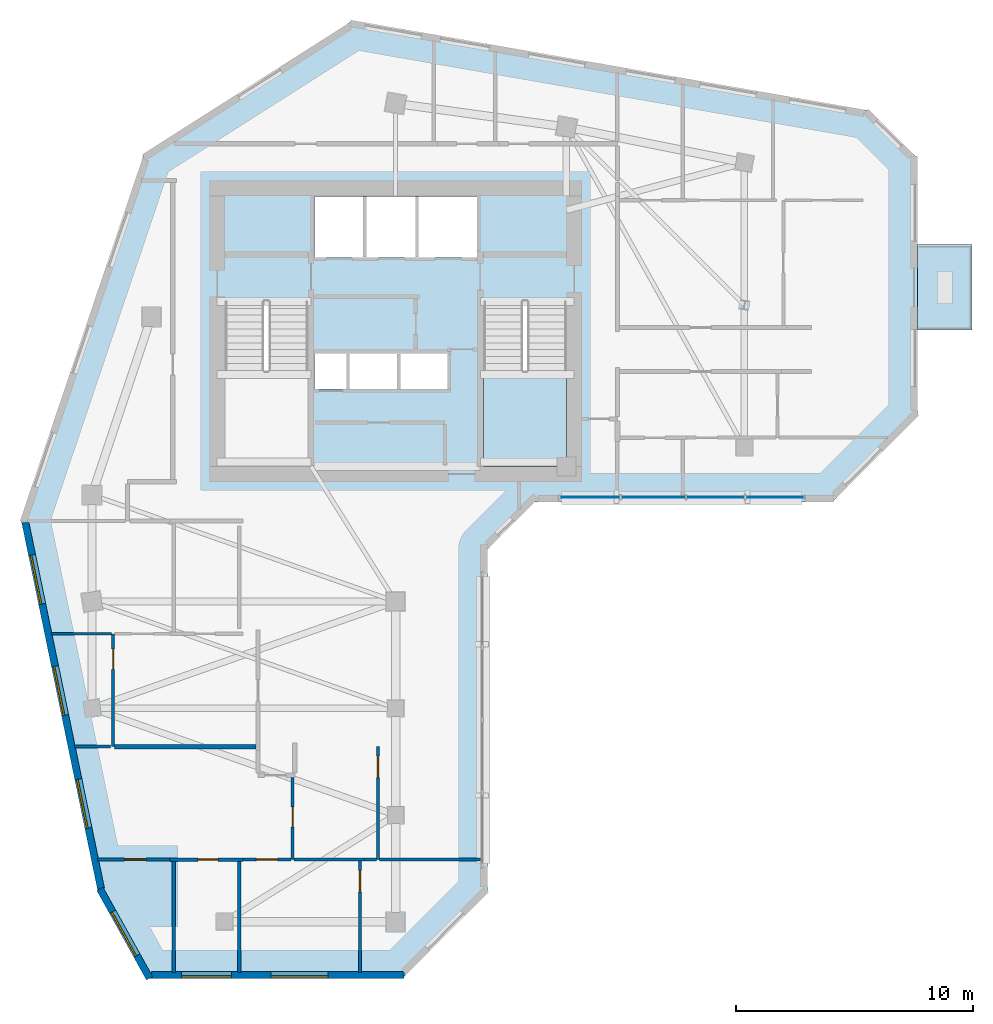
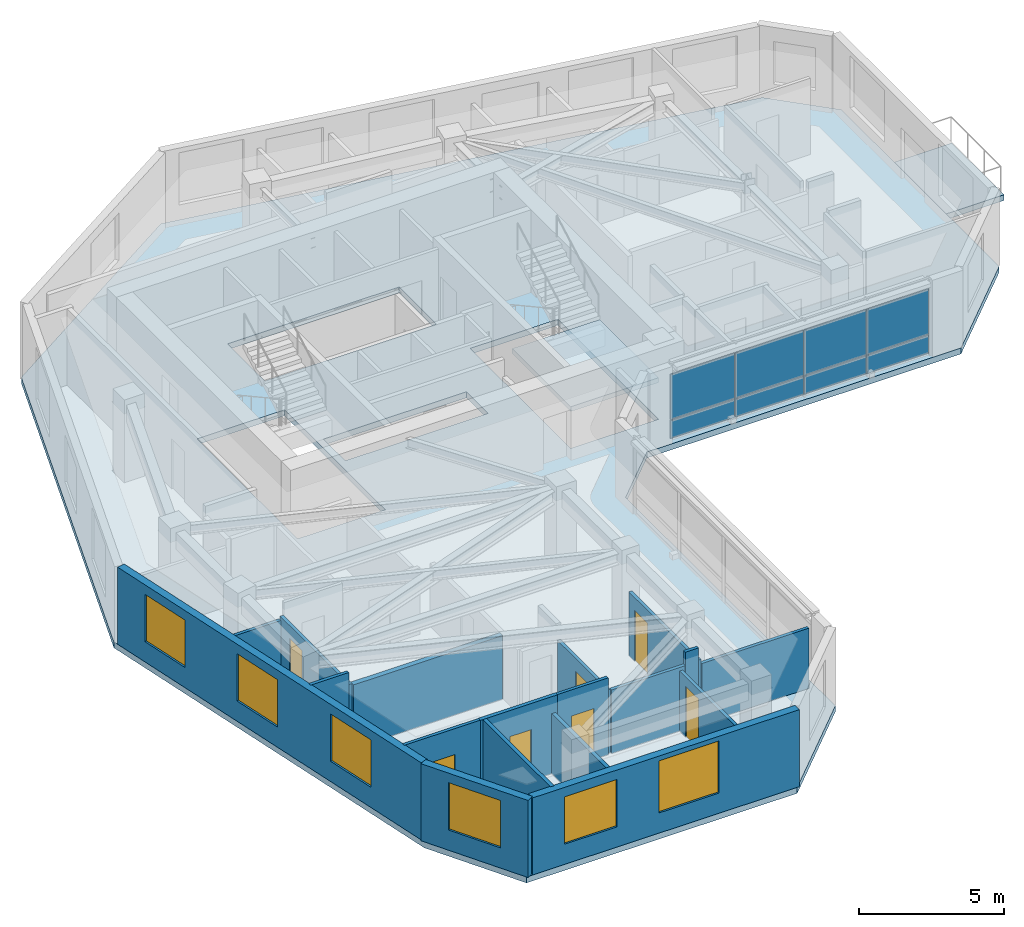
# One storey, part 3 of 10: 18 walls, 8 plates, 7 doors, 6 windows, 3 slabs, 13 openings, 2 elements without a shape of their own.
"""IFC4 building model written with IfcOpenShell, lengths in metres."""

from ifc_helpers import new_model, si_unit, direction, frame, frame_2d, origin, place, context, subcontext, project, spatial, polyline, rectangle, outline, extrude, source, transform, mapped, material, layer, layer_set, type_object, element, fill, aggregate, save


model = new_model("IFC4")

# Units and contexts
model_context = context("Model", 3, precision=1e-05, world=origin(), true_north=direction((0.0, 1.0)))
body_context = subcontext(model_context, "Body", "Model", "MODEL_VIEW")
ifc_project = project(units=[si_unit("LENGTHUNIT", "METRE"), si_unit("AREAUNIT", "SQUARE_METRE"), si_unit("VOLUMEUNIT", "CUBIC_METRE"), si_unit("PLANEANGLEUNIT", "RADIAN"), si_unit("MASSUNIT", "GRAM", prefix="KILO")], contexts=[model_context])

# Site, building, storey
site_placement = place(None, origin())
site = spatial("IfcSite", under=ifc_project, at=site_placement, CompositionType="ELEMENT")
building_placement = place(site_placement, origin())
building = spatial("IfcBuilding", under=site, at=building_placement, Name="Calvemar Wedge Station Tower", CompositionType="ELEMENT")
storey_placement = place(building_placement, frame((0.0, 0.0, 214.89990234375)))
storey = spatial("IfcBuildingStorey", under=building, at=storey_placement, Name="L54", CompositionType="ELEMENT", Elevation=214.89990234375)

# Curtain wall, plates
ifc_material_1 = material(Name="Anodised aluminium 6063-T6", Category="aluminium")
curtain_wall_type = type_object("IfcCurtainWallType", Name="CW3", PredefinedType="NOTDEFINED", material=ifc_material_1)
curtain_wall_placement = place(storey_placement, origin())
curtain_wall = element("IfcCurtainWall", 1, at=curtain_wall_placement, inside=storey, type_object=curtain_wall_type, Name="Storey L54 CW3 Recessed Unitised Curtain Wall 6", PredefinedType="NOTDEFINED")
ifc_material_2 = material(Name="Low-E laminated insulated glass", Category="glass")
ifc_layer_1 = layer(ifc_material_2, 0.028076171875)
ifc_layer_set_1 = layer_set([ifc_layer_1], Name="Low-E laminated insulated glass")
plate_type_1 = type_object("IfcPlateType", Name="CW3-GLZ", PredefinedType="CURTAIN_PANEL", material=ifc_layer_set_1)
plate_1_placement = place(storey_placement, frame((30.719970703125, 32.902099609375, 0.8701171875), z_axis=(0.0, 0.0, 1.0), x_axis=(1.0, 0.0, 0.0)))
plate_1 = element("IfcPlate", 2, at=plate_1_placement, type_object=plate_type_1, Name="CW3 vision glass panel 1", PredefinedType="CURTAIN_PANEL", context=body_context, shape_type="SweptSolid", body=[
    extrude(rectangle(XDim=2.552001953125, YDim=0.028076171875, at=frame_2d((1.27587890625, 0.0))), origin(), (0.0, 0.0, 1.0), 1.909912109375),
])
plate_2_placement = place(storey_placement, frame((33.30810546875, 32.902099609375, 0.8701171875), z_axis=(0.0, 0.0, 1.0), x_axis=(1.0, 0.0, 0.0)))
plate_2 = element("IfcPlate", 3, at=plate_2_placement, type_object=plate_type_1, Name="CW3 vision glass panel 2", PredefinedType="CURTAIN_PANEL", context=body_context, shape_type="SweptSolid", body=[
    extrude(rectangle(XDim=2.7138671875, YDim=0.028076171875, at=frame_2d((1.35693359375, 0.0))), origin(), (0.0, 0.0, 1.0), 1.909912109375),
])
plate_3_placement = place(storey_placement, frame((36.05810546875, 32.902099609375, 0.8701171875), z_axis=(0.0, 0.0, 1.0), x_axis=(1.0, 0.0, 0.0)))
plate_3 = element("IfcPlate", 4, at=plate_3_placement, type_object=plate_type_1, Name="CW3 vision glass panel 3", PredefinedType="CURTAIN_PANEL", context=body_context, shape_type="SweptSolid", body=[
    extrude(rectangle(XDim=2.462890625, YDim=0.028076171875, at=frame_2d((1.2314453125, 0.0))), origin(), (0.0, 0.0, 1.0), 1.909912109375),
])
plate_4_placement = place(storey_placement, frame((38.556884765625, 32.902099609375, 0.8701171875), z_axis=(0.0, 0.0, 1.0), x_axis=(1.0, 0.0, 0.0)))
plate_4 = element("IfcPlate", 5, at=plate_4_placement, type_object=plate_type_1, Name="CW3 vision glass panel 4", PredefinedType="CURTAIN_PANEL", context=body_context, shape_type="SweptSolid", body=[
    extrude(rectangle(XDim=2.463134765625, YDim=0.028076171875, at=frame_2d((1.2314453125, 0.0))), origin(), (0.0, 0.0, 1.0), 1.909912109375),
])
ifc_material_3 = material(Name="Oxidized bronze aluminium spandrel panel 5005-H24", Category="aluminium")
ifc_layer_2 = layer(ifc_material_3, 0.0400390625)
ifc_layer_set_2 = layer_set([ifc_layer_2], Name="Oxidized bronze aluminium spandrel panel 5005-H24")
plate_type_2 = type_object("IfcPlateType", Name="CW3-SPD", PredefinedType="SHEET", material=ifc_layer_set_2)
plate_5_placement = place(storey_placement, frame((30.719970703125, 32.902099609375, 0.080078125), z_axis=(0.0, 0.0, 1.0), x_axis=(1.0, 0.0, 0.0)))
plate_5 = element("IfcPlate", 6, at=plate_5_placement, type_object=plate_type_2, Name="CW3 bronze spandrel panel 1", PredefinedType="SHEET", context=body_context, shape_type="SweptSolid", body=[
    extrude(rectangle(XDim=2.552001953125, YDim=0.0400390625, at=frame_2d((1.27587890625, 0.0))), origin(), (0.0, 0.0, 1.0), 0.75),
])
plate_6_placement = place(storey_placement, frame((33.30810546875, 32.902099609375, 0.080078125), z_axis=(0.0, 0.0, 1.0), x_axis=(1.0, 0.0, 0.0)))
plate_6 = element("IfcPlate", 7, at=plate_6_placement, type_object=plate_type_2, Name="CW3 bronze spandrel panel 2", PredefinedType="SHEET", context=body_context, shape_type="SweptSolid", body=[
    extrude(rectangle(XDim=2.7138671875, YDim=0.0400390625, at=frame_2d((1.35693359375, 0.0))), origin(), (0.0, 0.0, 1.0), 0.75),
])
plate_7_placement = place(storey_placement, frame((36.05810546875, 32.902099609375, 0.080078125), z_axis=(0.0, 0.0, 1.0), x_axis=(1.0, 0.0, 0.0)))
plate_7 = element("IfcPlate", 8, at=plate_7_placement, type_object=plate_type_2, Name="CW3 bronze spandrel panel 3", PredefinedType="SHEET", context=body_context, shape_type="SweptSolid", body=[
    extrude(rectangle(XDim=2.462890625, YDim=0.0400390625, at=frame_2d((1.2314453125, 0.0))), origin(), (0.0, 0.0, 1.0), 0.75),
])
plate_8_placement = place(storey_placement, frame((38.556884765625, 32.902099609375, 0.080078125), z_axis=(0.0, 0.0, 1.0), x_axis=(1.0, 0.0, 0.0)))
plate_8 = element("IfcPlate", 9, at=plate_8_placement, type_object=plate_type_2, Name="CW3 bronze spandrel panel 4", PredefinedType="SHEET", context=body_context, shape_type="SweptSolid", body=[
    extrude(rectangle(XDim=2.463134765625, YDim=0.0400390625, at=frame_2d((1.2314453125, 0.0))), origin(), (0.0, 0.0, 1.0), 0.75),
])
aggregate(curtain_wall, [plate_5, plate_1, plate_6, plate_2, plate_7, plate_3, plate_8, plate_4])

# Stair, slab
ifc_material_4 = material(Name="Concrete C45", Category="concrete")
stair_type = type_object("IfcStairType", Name="ST-TYPE-3500", PredefinedType="HALF_TURN_STAIR", material=ifc_material_4)
stair_placement = place(storey_placement, origin())
stair = element("IfcStair", 10, at=stair_placement, inside=storey, type_object=stair_type, Name="L54 Pressurized Core Exit Stair ST-C2", PredefinedType="HALF_TURN_STAIR")
ifc_layer_3 = layer(ifc_material_4, 0.199951171875)
ifc_layer_set_3 = layer_set([ifc_layer_3], Name="Concrete C45")
slab_type_1 = type_object("IfcSlabType", Name="SL-STAIR-LND-200", PredefinedType="LANDING", material=ifc_layer_set_3)
slab_1_placement = place(storey_placement, frame((0.0, 0.0, 1.550048828125)))
slab_1 = element("IfcSlab", 11, at=slab_1_placement, type_object=slab_type_1, Name="ST-C2 landing 1", PredefinedType="LANDING", context=body_context, shape_type="SweptSolid", body=[
    extrude(outline(polyline([(27.5, 38.25), (27.5, 34.199951171875), (31.0, 34.199951171875), (31.0, 38.25), (27.5, 38.25)])), origin(), (0.0, 0.0, 1.0), 0.199951171875),
])
aggregate(stair, [slab_1])

# Slabs
ifc_layer_4 = layer(ifc_material_4, 0.239990234375)
ifc_layer_set_4 = layer_set([ifc_layer_4], Name="Concrete C45")
slab_type_2 = type_object("IfcSlabType", Name="SL-TERR-240", PredefinedType="FLOOR", material=ifc_layer_set_4)
slab_2_placement = place(storey_placement, frame((0.0, 0.0, -0.239990234375)))
element("IfcSlab", 12, at=slab_2_placement, inside=storey, type_object=slab_type_2, Name="Storey L54 Planted Spiral Terrace Slab", PredefinedType="FLOOR", context=body_context, shape_type="SweptSolid", body=[
    extrude(outline(polyline([(45.800048828125, 39.94189453125), (48.10009765625, 39.94189453125), (48.10009765625, 43.5419921875), (45.800048828125, 43.5419921875), (45.800048828125, 39.94189453125)])), origin(), (0.0, 0.0, 1.0), 0.239990234375),
])
ifc_material_5 = material(Name="Concrete C50", Category="concrete")
ifc_layer_5 = layer(ifc_material_5, 0.25)
ifc_layer_set_5 = layer_set([ifc_layer_5], Name="Concrete C50")
slab_type_3 = type_object("IfcSlabType", Name="SL-TYP-250", PredefinedType="FLOOR", material=ifc_layer_set_5)
slab_3_placement = place(storey_placement, frame((0.0, 0.0, -0.25)))
element("IfcSlab", 13, at=slab_3_placement, inside=storey, type_object=slab_type_3, Name="Storey L54 Structural Floor Slab", PredefinedType="FLOOR", context=body_context, shape_type="SweptSolid", body=[
    extrude(outline(polyline([(8.0, 32.0), (11.263916015625, 16.199951171875), (13.263916015625, 12.60009765625), (24.06396484375, 12.60009765625), (27.6640625, 16.199951171875), (27.6640625, 30.69189453125), (29.6640625, 32.69189453125), (42.199951171875, 32.69189453125), (45.800048828125, 36.2919921875), (45.800048828125, 47.19189453125), (43.800048828125, 49.19189453125), (22.0, 53.0), (13.199951171875, 47.39990234375), (8.0, 32.0)]), holes=[polyline([(20.10009765625, 34.199951171875), (20.10009765625, 41.14990234375), (16.60009765625, 41.14990234375), (16.60009765625, 34.199951171875), (20.10009765625, 34.199951171875)]), polyline([(27.5, 34.199951171875), (31.0, 34.199951171875), (31.0, 41.14990234375), (27.5, 41.14990234375), (27.5, 34.199951171875)]), polyline([(21.800048828125, 37.449951171875), (23.929931640625, 37.449951171875), (23.93994140625, 37.449951171875), (26.080078125, 37.449951171875), (26.080078125, 38.949951171875), (23.93994140625, 38.949951171875), (23.929931640625, 38.949951171875), (21.800048828125, 38.949951171875), (21.7900390625, 38.949951171875), (20.3798828125, 38.949951171875), (20.3798828125, 37.449951171875), (21.7900390625, 37.449951171875), (21.800048828125, 37.449951171875)]), polyline([(27.219970703125, 43.0), (27.219970703125, 45.580078125), (20.3798828125, 45.580078125), (20.3798828125, 43.0), (27.219970703125, 43.0)])]), origin(), (0.0, 0.0, 1.0), 0.25),
])

# Wall
ifc_material_6 = material(Name="Twin-stud fire-rated inter-tenancy wall")
ifc_layer_6 = layer(ifc_material_6, 0.199951171875)
ifc_layer_set_6 = layer_set([ifc_layer_6], Name="Twin-stud fire-rated inter-tenancy wall")
wall_type_1 = type_object("IfcWallType", Name="W-DEMISE-200", PredefinedType="PARTITIONING", material=ifc_layer_set_6)
wall_1_placement = place(storey_placement, frame((17.906005859375, 22.383056640625, 0.0), z_axis=(0.0, 0.0, 1.0), x_axis=(-1.0, 0.0, 0.0)))
element("IfcWall", 14, at=wall_1_placement, inside=storey, type_object=wall_type_1, Name="Storey L54 Interior Partition WL-L54-049", PredefinedType="PARTITIONING", context=body_context, shape_type="SweptSolid", body=[
    extrude(rectangle(XDim=5.948486328125, YDim=0.199951171875, at=frame_2d((2.97412109375, 0.0))), origin(), (0.0, 0.0, 1.0), 2.68798828125),
])

# Wall, opening, window
ifc_material_7 = material(Name="Precast concrete C45", Category="concrete")
ifc_layer_7 = layer(ifc_material_7, 0.300048828125)
ifc_layer_set_7 = layer_set([ifc_layer_7], Name="Precast concrete C45")
wall_type_2 = type_object("IfcWallType", Name="W-EXT-GFRC-300", PredefinedType="SOLIDWALL", material=ifc_layer_set_7)
wall_2_placement = place(storey_placement, frame((11.33349609375, 16.3837890625, 0.0), z_axis=(0.0, 0.0, 1.0), x_axis=(0.485633305139, -0.874162623852, 0.0)))
wall_2 = element("IfcWall", 15, at=wall_2_placement, inside=storey, type_object=wall_type_2, Name="Storey L54 Bronze GFRC Exterior Wall 1", PredefinedType="SOLIDWALL", context=body_context, shape_type="SweptSolid", body=[
    extrude(rectangle(XDim=4.306884765625, YDim=0.300048828125, at=frame_2d((2.1533203125, 0.0))), origin(), (0.0, 0.0, 1.0), 3.25),
])
shared_shape_1 = source(origin(), body_context, "Body", "SweptSolid", [
    extrude(rectangle(XDim=2.10009765625, YDim=2.0, at=frame_2d((1.050048828125, 1.0))), frame((0.0, 0.16015625, 0.0), z_axis=(0.0, -1.0, 0.0), x_axis=(1.0, 0.0, 0.0)), (0.0, 0.0, 1.0), 0.320068359375),
])
opening_1_placement = place(wall_2_placement, frame((1.10400390625, 0.0, 0.85009765625)))
opening_1 = element("IfcOpeningElement", 16, at=opening_1_placement, cuts=wall_2, Name="Opening W4", PredefinedType="OPENING", context=body_context, shape_type="MappedRepresentation", body=[
    mapped(shared_shape_1, transform((0.0, 0.0, 0.0), scale=1.0)),
])
window_type_1 = type_object("IfcWindowType", Name="WIN-EXT-4", PartitioningType="SINGLE_PANEL", PredefinedType="WINDOW", material=ifc_material_2)
shared_shape_2 = source(origin(), body_context, "Body", "SweptSolid", [
    extrude(rectangle(XDim=2.10009765625, YDim=2.0, at=frame_2d((1.050048828125, 1.0))), frame((0.0, -0.014892578125, 0.0), z_axis=(0.0, -1.0, 0.0), x_axis=(1.0, 0.0, 0.0)), (0.0, 0.0, 1.0), 0.06005859375),
])
window_1_placement = place(opening_1_placement, origin())
window_1 = element("IfcWindow", 17, at=window_1_placement, inside=storey, type_object=window_type_1, Name="Storey L54 Recessed Window 1.1", OverallHeight=2.0, OverallWidth=2.10009765625, PartitioningType="SINGLE_PANEL", PredefinedType="WINDOW", context=body_context, shape_type="MappedRepresentation", body=[
    mapped(shared_shape_2, transform((0.0, 0.0, 0.0), scale=1.0)),
])
fill(opening_1, window_1)

# Wall, openings, windows
wall_3_placement = place(storey_placement, frame((13.510009765625, 12.75, 0.0), z_axis=(0.0, 0.0, 1.0), x_axis=(1.0, 0.0, 0.0)))
wall_3 = element("IfcWall", 18, at=wall_3_placement, inside=storey, type_object=wall_type_2, Name="Storey L54 Bronze GFRC Exterior Wall 2", PredefinedType="SOLIDWALL", context=body_context, shape_type="SweptSolid", body=[
    extrude(rectangle(XDim=10.641845703125, YDim=0.300048828125, at=frame_2d((5.32080078125, 0.0))), origin(), (0.0, 0.0, 1.0), 3.25),
])
opening_2_placement = place(wall_3_placement, frame((1.264892578125, 0.0, 0.85009765625)))
opening_2 = element("IfcOpeningElement", 19, at=opening_2_placement, cuts=wall_3, Name="Opening W4", PredefinedType="OPENING", context=body_context, shape_type="MappedRepresentation", body=[
    mapped(shared_shape_1, transform((0.0, 0.0, 0.0), scale=1.0)),
])
shared_shape_3 = source(origin(), body_context, "Body", "SweptSolid", [
    extrude(rectangle(XDim=2.39990234375, YDim=2.199951171875, at=frame_2d((1.199951171875, 1.10009765625))), frame((0.0, 0.16015625, 0.0), z_axis=(0.0, -1.0, 0.0), x_axis=(1.0, 0.0, 0.0)), (0.0, 0.0, 1.0), 0.320068359375),
])
opening_3_placement = place(wall_3_placement, frame((5.0400390625, 0.0, 0.85009765625)))
opening_3 = element("IfcOpeningElement", 20, at=opening_3_placement, cuts=wall_3, Name="Opening W1", PredefinedType="OPENING", context=body_context, shape_type="MappedRepresentation", body=[
    mapped(shared_shape_3, transform((0.0, 0.0, 0.0), scale=1.0)),
])
window_2_placement = place(opening_2_placement, origin())
window_2 = element("IfcWindow", 21, at=window_2_placement, inside=storey, type_object=window_type_1, Name="Storey L54 Recessed Window 2.1", OverallHeight=2.0, OverallWidth=2.10009765625, PartitioningType="SINGLE_PANEL", PredefinedType="WINDOW", context=body_context, shape_type="MappedRepresentation", body=[
    mapped(shared_shape_2, transform((0.0, 0.0, 0.0), scale=1.0)),
])
fill(opening_2, window_2)
window_type_2 = type_object("IfcWindowType", Name="WIN-EXT-1", PartitioningType="SINGLE_PANEL", PredefinedType="WINDOW", material=ifc_material_2)
shared_shape_4 = source(origin(), body_context, "Body", "SweptSolid", [
    extrude(rectangle(XDim=2.39990234375, YDim=2.199951171875, at=frame_2d((1.199951171875, 1.10009765625))), frame((0.0, -0.014892578125, 0.0), z_axis=(0.0, -1.0, 0.0), x_axis=(1.0, 0.0, 0.0)), (0.0, 0.0, 1.0), 0.06005859375),
])
window_3_placement = place(opening_3_placement, origin())
window_3 = element("IfcWindow", 22, at=window_3_placement, inside=storey, type_object=window_type_2, Name="Storey L54 Recessed Window 2.2", OverallHeight=2.199951171875, OverallWidth=2.39990234375, PartitioningType="SINGLE_PANEL", PredefinedType="WINDOW", context=body_context, shape_type="MappedRepresentation", body=[
    mapped(shared_shape_4, transform((0.0, 0.0, 0.0), scale=1.0)),
])
fill(opening_3, window_3)

wall_4_placement = place(storey_placement, frame((8.1875, 31.833984375, 0.0), z_axis=(0.0, 0.0, 1.0), x_axis=(0.202303475707, -0.979322880217, 0.0)))
wall_4 = element("IfcWall", 23, at=wall_4_placement, inside=storey, type_object=wall_type_2, Name="Storey L54 Bronze GFRC Exterior Wall 13", PredefinedType="SOLIDWALL", context=body_context, shape_type="SweptSolid", body=[
    extrude(rectangle(XDim=15.765625, YDim=0.300048828125, at=frame_2d((7.8828125, 0.0))), origin(), (0.0, 0.0, 1.0), 3.25),
])
opening_4_placement = place(wall_4_placement, frame((1.406982421875, 0.0, 0.85009765625)))
opening_4 = element("IfcOpeningElement", 24, at=opening_4_placement, cuts=wall_4, Name="Opening W4", PredefinedType="OPENING", context=body_context, shape_type="MappedRepresentation", body=[
    mapped(shared_shape_1, transform((0.0, 0.0, 0.0), scale=1.0)),
])
opening_5_placement = place(wall_4_placement, frame((6.194091796875, 0.0, 0.85009765625)))
opening_5 = element("IfcOpeningElement", 25, at=opening_5_placement, cuts=wall_4, Name="Opening W4", PredefinedType="OPENING", context=body_context, shape_type="MappedRepresentation", body=[
    mapped(shared_shape_1, transform((0.0, 0.0, 0.0), scale=1.0)),
])
opening_6_placement = place(wall_4_placement, frame((11.053955078125, 0.0, 0.85009765625)))
opening_6 = element("IfcOpeningElement", 26, at=opening_6_placement, cuts=wall_4, Name="Opening W4", PredefinedType="OPENING", context=body_context, shape_type="MappedRepresentation", body=[
    mapped(shared_shape_1, transform((0.0, 0.0, 0.0), scale=1.0)),
])
window_4_placement = place(opening_4_placement, origin())
window_4 = element("IfcWindow", 27, at=window_4_placement, inside=storey, type_object=window_type_1, Name="Storey L54 Recessed Window 13.1", OverallHeight=2.0, OverallWidth=2.10009765625, PartitioningType="SINGLE_PANEL", PredefinedType="WINDOW", context=body_context, shape_type="MappedRepresentation", body=[
    mapped(shared_shape_2, transform((0.0, 0.0, 0.0), scale=1.0)),
])
fill(opening_4, window_4)
window_5_placement = place(opening_5_placement, origin())
window_5 = element("IfcWindow", 28, at=window_5_placement, inside=storey, type_object=window_type_1, Name="Storey L54 Recessed Window 13.2", OverallHeight=2.0, OverallWidth=2.10009765625, PartitioningType="SINGLE_PANEL", PredefinedType="WINDOW", context=body_context, shape_type="MappedRepresentation", body=[
    mapped(shared_shape_2, transform((0.0, 0.0, 0.0), scale=1.0)),
])
fill(opening_5, window_5)
window_6_placement = place(opening_6_placement, origin())
window_6 = element("IfcWindow", 29, at=window_6_placement, inside=storey, type_object=window_type_1, Name="Storey L54 Recessed Window 13.3", OverallHeight=2.0, OverallWidth=2.10009765625, PartitioningType="SINGLE_PANEL", PredefinedType="WINDOW", context=body_context, shape_type="MappedRepresentation", body=[
    mapped(shared_shape_2, transform((0.0, 0.0, 0.0), scale=1.0)),
])
fill(opening_6, window_6)

# Wall, opening, door
ifc_material_8 = material(Name="Insulated acoustic gypsum stud partition")
ifc_layer_8 = layer(ifc_material_8, 0.125)
ifc_layer_set_8 = layer_set([ifc_layer_8], Name="Insulated acoustic gypsum stud partition")
wall_type_3 = type_object("IfcWallType", Name="W-PART-125", PredefinedType="PARTITIONING", material=ifc_layer_set_8)
wall_5_placement = place(storey_placement, frame((11.89111328125, 22.383056640625, 0.0), z_axis=(0.0, 0.0, 1.0), x_axis=(0.0, 1.0, 0.0)))
wall_5 = element("IfcWall", 30, at=wall_5_placement, inside=storey, type_object=wall_type_3, Name="Storey L54 Interior Partition WL-L54-046", PredefinedType="PARTITIONING", context=body_context, shape_type="SweptSolid", body=[
    extrude(rectangle(XDim=4.759033203125, YDim=0.125, at=frame_2d((2.37939453125, 0.0))), origin(), (0.0, 0.0, 1.0), 2.68798828125),
])
shared_shape_5 = source(origin(), body_context, "Body", "SweptSolid", [
    extrude(rectangle(XDim=0.85009765625, YDim=2.14990234375, at=frame_2d((0.425048828125, 1.074951171875))), frame((0.0, 0.072509765625, 0.0), z_axis=(0.0, -1.0, 0.0), x_axis=(1.0, 0.0, 0.0)), (0.0, 0.0, 1.0), 0.14501953125),
])
opening_7_placement = place(wall_5_placement, frame((3.2568359375, 0.0, 0.0)))
opening_7 = element("IfcOpeningElement", 31, at=opening_7_placement, cuts=wall_5, Name="Opening D-02", PredefinedType="OPENING", context=body_context, shape_type="MappedRepresentation", body=[
    mapped(shared_shape_5, transform((0.0, 0.0, 0.0), scale=1.0)),
])
ifc_material_9 = material(Name="Moisture-sealed bathroom hardwood swing door", Category="wood")
door_type_1 = type_object("IfcDoorType", Name="DR-WET-850", OperationType="NOTDEFINED", PredefinedType="DOOR", material=ifc_material_9)
shared_shape_6 = source(origin(), body_context, "Body", "SweptSolid", [
    extrude(rectangle(XDim=0.85009765625, YDim=2.14990234375, at=frame_2d((0.425048828125, 1.074951171875))), frame((0.0, 0.02490234375, 0.0), z_axis=(0.0, -1.0, 0.0), x_axis=(1.0, 0.0, 0.0)), (0.0, 0.0, 1.0), 0.050048828125),
])
door_1_placement = place(opening_7_placement, origin())
door_1 = element("IfcDoor", 32, at=door_1_placement, inside=storey, type_object=door_type_1, Name="L54 Kitchen Door", OperationType="SINGLE_SWING_LEFT", OverallHeight=2.14990234375, OverallWidth=0.85009765625, PredefinedType="DOOR", context=body_context, shape_type="MappedRepresentation", body=[
    mapped(shared_shape_6, transform((0.0, 0.0, 0.0), scale=1.0)),
])
fill(opening_7, door_1)

# Walls
wall_6_placement = place(storey_placement, frame((9.274169921875, 27.14208984375, 0.0), z_axis=(0.0, 0.0, 1.0), x_axis=(1.0, 0.0, 0.0)))
element("IfcWall", 33, at=wall_6_placement, inside=storey, type_object=wall_type_3, Name="Storey L54 Interior Partition WL-L54-050", PredefinedType="PARTITIONING", context=body_context, shape_type="SweptSolid", body=[
    extrude(rectangle(XDim=2.55029296875, YDim=0.125, at=frame_2d((1.275146484375, 0.0))), origin(), (0.0, 0.0, 1.0), 2.5419921875),
])
wall_7_placement = place(storey_placement, frame((11.787109375, 22.383056640625, 0.0), z_axis=(0.0, 0.0, 1.0), x_axis=(-1.0, 0.0, 0.0)))
element("IfcWall", 34, at=wall_7_placement, inside=storey, type_object=wall_type_3, Name="Storey L54 Interior Partition WL-L54-051", PredefinedType="PARTITIONING", context=body_context, shape_type="SweptSolid", body=[
    extrude(rectangle(XDim=1.52978515625, YDim=0.125, at=frame_2d((0.764892578125, 0.0))), origin(), (0.0, 0.0, 1.0), 3.25),
])

# Wall, opening, door
wall_8_placement = place(storey_placement, frame((23.056884765625, 17.6240234375, 0.0), z_axis=(0.0, 0.0, 1.0), x_axis=(0.0, 1.0, 0.0)))
wall_8 = element("IfcWall", 35, at=wall_8_placement, inside=storey, type_object=wall_type_3, Name="Storey L54 Interior Partition WL-L54-053", PredefinedType="PARTITIONING", context=body_context, shape_type="SweptSolid", body=[
    extrude(rectangle(XDim=4.759033203125, YDim=0.125, at=frame_2d((2.37939453125, 0.0))), origin(), (0.0, 0.0, 1.0), 2.68798828125),
])
shared_shape_7 = source(origin(), body_context, "Body", "SweptSolid", [
    extrude(rectangle(XDim=0.89990234375, YDim=2.14990234375, at=frame_2d((0.449951171875, 1.074951171875))), frame((0.0, 0.072509765625, 0.0), z_axis=(0.0, -1.0, 0.0), x_axis=(1.0, 0.0, 0.0)), (0.0, 0.0, 1.0), 0.14501953125),
])
opening_8_placement = place(wall_8_placement, frame((3.456787109375, 0.0, 0.0)))
opening_8 = element("IfcOpeningElement", 36, at=opening_8_placement, cuts=wall_8, Name="Opening D-01", PredefinedType="OPENING", context=body_context, shape_type="MappedRepresentation", body=[
    mapped(shared_shape_7, transform((0.0, 0.0, 0.0), scale=1.0)),
])
ifc_material_10 = material(Name="Architectural hardwood acoustic swing door", Category="wood")
door_type_2 = type_object("IfcDoorType", Name="DR-INT-900", OperationType="NOTDEFINED", PredefinedType="DOOR", material=ifc_material_10)
shared_shape_8 = source(origin(), body_context, "Body", "SweptSolid", [
    extrude(rectangle(XDim=0.89990234375, YDim=2.14990234375, at=frame_2d((0.449951171875, 1.074951171875))), frame((0.0, 0.02490234375, 0.0), z_axis=(0.0, -1.0, 0.0), x_axis=(1.0, 0.0, 0.0)), (0.0, 0.0, 1.0), 0.050048828125),
])
door_2_placement = place(opening_8_placement, origin())
door_2 = element("IfcDoor", 37, at=door_2_placement, inside=storey, type_object=door_type_2, Name="L54 Study Door", OperationType="SINGLE_SWING_RIGHT", OverallHeight=2.14990234375, OverallWidth=0.89990234375, PredefinedType="DOOR", context=body_context, shape_type="MappedRepresentation", body=[
    mapped(shared_shape_8, transform((0.0, 0.0, 0.0), scale=1.0)),
])
fill(opening_8, door_2)

# Wall
wall_9_placement = place(storey_placement, frame((27.39892578125, 17.6240234375, 0.0), z_axis=(0.0, 0.0, 1.0), x_axis=(-1.0, 0.0, 0.0)))
element("IfcWall", 38, at=wall_9_placement, inside=storey, type_object=wall_type_3, Name="Storey L54 Interior Partition WL-L54-054", PredefinedType="PARTITIONING", context=body_context, shape_type="SweptSolid", body=[
    extrude(rectangle(XDim=4.275390625, YDim=0.125, at=frame_2d((2.1376953125, 0.0))), origin(), (0.0, 0.0, 1.0), 2.5419921875),
])

# Wall, opening, door
wall_10_placement = place(storey_placement, frame((19.45703125, 21.089111328125, 0.0), z_axis=(0.0, 0.0, 1.0), x_axis=(0.0, -1.0, 0.0)))
wall_10 = element("IfcWall", 39, at=wall_10_placement, inside=storey, type_object=wall_type_3, Name="Storey L54 Interior Partition WL-L54-055", PredefinedType="PARTITIONING", context=body_context, shape_type="SweptSolid", body=[
    extrude(rectangle(XDim=3.465087890625, YDim=0.125, at=frame_2d((1.732421875, 0.0))), origin(), (0.0, 0.0, 1.0), 2.68798828125),
])
opening_9_placement = place(wall_10_placement, frame((1.2470703125, 0.0, 0.0)))
opening_9 = element("IfcOpeningElement", 40, at=opening_9_placement, cuts=wall_10, Name="Opening D-02", PredefinedType="OPENING", context=body_context, shape_type="MappedRepresentation", body=[
    mapped(shared_shape_5, transform((0.0, 0.0, 0.0), scale=1.0)),
])
door_3_placement = place(opening_9_placement, origin())
door_3 = element("IfcDoor", 41, at=door_3_placement, inside=storey, type_object=door_type_1, Name="L54 Kitchen Door", OperationType="SINGLE_SWING_RIGHT", OverallHeight=2.14990234375, OverallWidth=0.85009765625, PredefinedType="DOOR", context=body_context, shape_type="MappedRepresentation", body=[
    mapped(shared_shape_6, transform((0.0, 0.0, 0.0), scale=1.0)),
])
fill(opening_9, door_3)

wall_11_placement = place(storey_placement, frame((14.2880859375, 17.6240234375, 0.0), z_axis=(0.0, 0.0, 1.0), x_axis=(-1.0, 0.0, 0.0)))
wall_11 = element("IfcWall", 42, at=wall_11_placement, inside=storey, type_object=wall_type_3, Name="Storey L54 Interior Partition WL-L54-057", PredefinedType="PARTITIONING", context=body_context, shape_type="SweptSolid", body=[
    extrude(rectangle(XDim=3.047607421875, YDim=0.125, at=frame_2d((1.52392578125, 0.0))), origin(), (0.0, 0.0, 1.0), 3.25),
])
opening_10_placement = place(wall_11_placement, frame((1.0126953125, 0.0, 0.0)))
opening_10 = element("IfcOpeningElement", 43, at=opening_10_placement, cuts=wall_11, Name="Opening D-01", PredefinedType="OPENING", context=body_context, shape_type="MappedRepresentation", body=[
    mapped(shared_shape_7, transform((0.0, 0.0, 0.0), scale=1.0)),
])
door_4_placement = place(opening_10_placement, origin())
door_4 = element("IfcDoor", 44, at=door_4_placement, inside=storey, type_object=door_type_2, Name="L54 Bedroom Door", OperationType="SINGLE_SWING_RIGHT", OverallHeight=2.14990234375, OverallWidth=0.89990234375, PredefinedType="DOOR", context=body_context, shape_type="MappedRepresentation", body=[
    mapped(shared_shape_8, transform((0.0, 0.0, 0.0), scale=1.0)),
])
fill(opening_10, door_4)

wall_12_placement = place(storey_placement, frame((19.390380859375, 17.6240234375, 0.0), z_axis=(0.0, 0.0, 1.0), x_axis=(-1.0, 0.0, 0.0)))
wall_12 = element("IfcWall", 45, at=wall_12_placement, inside=storey, type_object=wall_type_3, Name="Storey L54 Interior Partition WL-L54-058", PredefinedType="PARTITIONING", context=body_context, shape_type="SweptSolid", body=[
    extrude(rectangle(XDim=2.0283203125, YDim=0.125, at=frame_2d((1.01416015625, 0.0))), origin(), (0.0, 0.0, 1.0), 3.25),
])
opening_11_placement = place(wall_12_placement, frame((0.564208984375, 0.0, 0.0)))
opening_11 = element("IfcOpeningElement", 46, at=opening_11_placement, cuts=wall_12, Name="Opening D-01", PredefinedType="OPENING", context=body_context, shape_type="MappedRepresentation", body=[
    mapped(shared_shape_7, transform((0.0, 0.0, 0.0), scale=1.0)),
])
door_5_placement = place(opening_11_placement, origin())
door_5 = element("IfcDoor", 47, at=door_5_placement, inside=storey, type_object=door_type_2, Name="L54 Master Bedroom Door", OperationType="SINGLE_SWING_LEFT", OverallHeight=2.14990234375, OverallWidth=0.89990234375, PredefinedType="DOOR", context=body_context, shape_type="MappedRepresentation", body=[
    mapped(shared_shape_8, transform((0.0, 0.0, 0.0), scale=1.0)),
])
fill(opening_11, door_5)

# Walls
wall_13_placement = place(storey_placement, frame((22.4599609375, 17.6240234375, 0.0), z_axis=(0.0, 0.0, 1.0), x_axis=(-1.0, 0.0, 0.0)))
element("IfcWall", 48, at=wall_13_placement, inside=storey, type_object=wall_type_3, Name="Storey L54 Interior Partition WL-L54-059", PredefinedType="PARTITIONING", context=body_context, shape_type="SweptSolid", body=[
    extrude(rectangle(XDim=2.9365234375, YDim=0.125, at=frame_2d((1.46826171875, 0.0))), origin(), (0.0, 0.0, 1.0), 2.68798828125),
])
wall_14_placement = place(storey_placement, frame((22.990478515625, 17.6240234375, 0.0), z_axis=(0.0, 0.0, 1.0), x_axis=(-1.0, 0.0, 0.0)))
element("IfcWall", 49, at=wall_14_placement, inside=storey, type_object=wall_type_3, Name="Storey L54 Interior Partition WL-L54-060", PredefinedType="PARTITIONING", context=body_context, shape_type="SweptSolid", body=[
    extrude(rectangle(XDim=0.528564453125, YDim=0.125, at=frame_2d((0.26416015625, 0.0))), origin(), (0.0, 0.0, 1.0), 3.25),
])

# Wall, opening, door
wall_15_placement = place(storey_placement, frame((22.300048828125, 17.5576171875, 0.0), z_axis=(0.0, 0.0, 1.0), x_axis=(0.0, -1.0, 0.0)))
wall_15 = element("IfcWall", 50, at=wall_15_placement, inside=storey, type_object=wall_type_3, Name="Storey L54 Interior Partition WL-L54-063", PredefinedType="PARTITIONING", context=body_context, shape_type="SweptSolid", body=[
    extrude(rectangle(XDim=4.692626953125, YDim=0.125, at=frame_2d((2.34619140625, 0.0))), origin(), (0.0, 0.0, 1.0), 2.5419921875),
])
opening_12_placement = place(wall_15_placement, frame((0.404296875, 0.0, 0.0)))
opening_12 = element("IfcOpeningElement", 51, at=opening_12_placement, cuts=wall_15, Name="Opening D-01", PredefinedType="OPENING", context=body_context, shape_type="MappedRepresentation", body=[
    mapped(shared_shape_7, transform((0.0, 0.0, 0.0), scale=1.0)),
])
door_6_placement = place(opening_12_placement, origin())
door_6 = element("IfcDoor", 52, at=door_6_placement, inside=storey, type_object=door_type_2, Name="L54 Master Bedroom Door", OperationType="SINGLE_SWING_RIGHT", OverallHeight=2.14990234375, OverallWidth=0.89990234375, PredefinedType="DOOR", context=body_context, shape_type="MappedRepresentation", body=[
    mapped(shared_shape_8, transform((0.0, 0.0, 0.0), scale=1.0)),
])
fill(opening_12, door_6)

ifc_material_11 = material(Name="Moisture-resistant acoustic bathroom partition")
ifc_layer_9 = layer(ifc_material_11, 0.14990234375)
ifc_layer_set_9 = layer_set([ifc_layer_9], Name="Moisture-resistant acoustic bathroom partition")
wall_type_4 = type_object("IfcWallType", Name="W-WET-150", PredefinedType="PARTITIONING", material=ifc_layer_set_9)
wall_16_placement = place(storey_placement, frame((17.360107421875, 17.6240234375, 0.0), z_axis=(0.0, 0.0, 1.0), x_axis=(-1.0, 0.0, 0.0)))
wall_16 = element("IfcWall", 53, at=wall_16_placement, inside=storey, type_object=wall_type_4, Name="Storey L54 Interior Partition WL-L54-056", PredefinedType="PARTITIONING", context=body_context, shape_type="SweptSolid", body=[
    extrude(rectangle(XDim=3.070068359375, YDim=0.14990234375, at=frame_2d((1.53515625, 0.0))), origin(), (0.0, 0.0, 1.0), 3.25),
])
shared_shape_9 = source(origin(), body_context, "Body", "SweptSolid", [
    extrude(rectangle(XDim=0.85009765625, YDim=2.14990234375, at=frame_2d((0.425048828125, 1.074951171875))), frame((0.0, 0.0849609375, 0.0), z_axis=(0.0, -1.0, 0.0), x_axis=(1.0, 0.0, 0.0)), (0.0, 0.0, 1.0), 0.169921875),
])
opening_13_placement = place(wall_16_placement, frame((1.046142578125, 0.0, 0.0)))
opening_13 = element("IfcOpeningElement", 54, at=opening_13_placement, cuts=wall_16, Name="Opening D-02", PredefinedType="OPENING", context=body_context, shape_type="MappedRepresentation", body=[
    mapped(shared_shape_9, transform((0.0, 0.0, 0.0), scale=1.0)),
])
door_7_placement = place(opening_13_placement, origin())
door_7 = element("IfcDoor", 55, at=door_7_placement, inside=storey, type_object=door_type_1, Name="L54 Bathroom Door", OperationType="SINGLE_SWING_LEFT", OverallHeight=2.14990234375, OverallWidth=0.85009765625, PredefinedType="DOOR", context=body_context, shape_type="MappedRepresentation", body=[
    mapped(shared_shape_6, transform((0.0, 0.0, 0.0), scale=1.0)),
])
fill(opening_13, door_7)

# Walls
wall_17_placement = place(storey_placement, frame((14.449951171875, 12.864990234375, 0.0), z_axis=(0.0, 0.0, 1.0), x_axis=(0.0, 1.0, 0.0)))
element("IfcWall", 56, at=wall_17_placement, inside=storey, type_object=wall_type_4, Name="Storey L54 Interior Partition WL-L54-061", PredefinedType="PARTITIONING", context=body_context, shape_type="SweptSolid", body=[
    extrude(rectangle(XDim=4.679931640625, YDim=0.14990234375, at=frame_2d((2.33984375, 0.0))), origin(), (0.0, 0.0, 1.0), 3.25),
])
wall_18_placement = place(storey_placement, frame((17.199951171875, 17.544921875, 0.0), z_axis=(0.0, 0.0, 1.0), x_axis=(0.0, -1.0, 0.0)))
element("IfcWall", 57, at=wall_18_placement, inside=storey, type_object=wall_type_4, Name="Storey L54 Interior Partition WL-L54-062", PredefinedType="PARTITIONING", context=body_context, shape_type="SweptSolid", body=[
    extrude(rectangle(XDim=4.679931640625, YDim=0.14990234375, at=frame_2d((2.33984375, 0.0))), origin(), (0.0, 0.0, 1.0), 2.5419921875),
])

save(model, "model.ifc")
